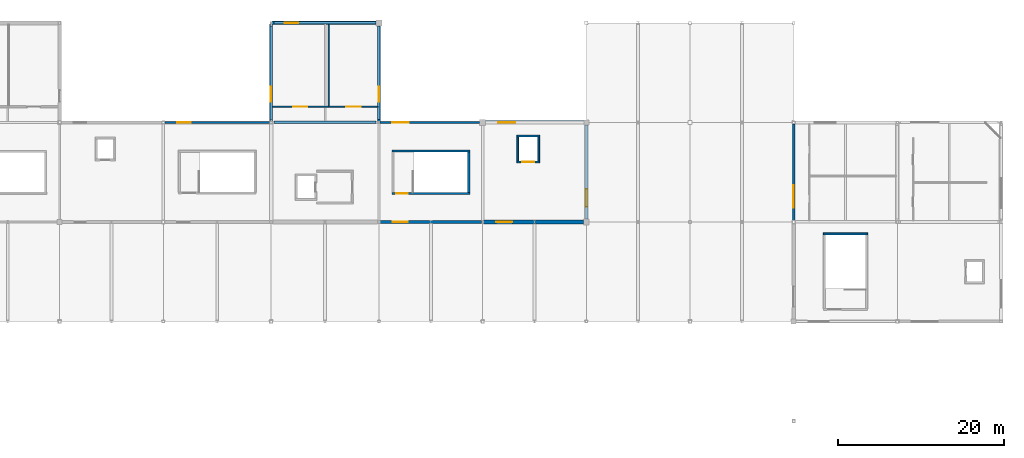
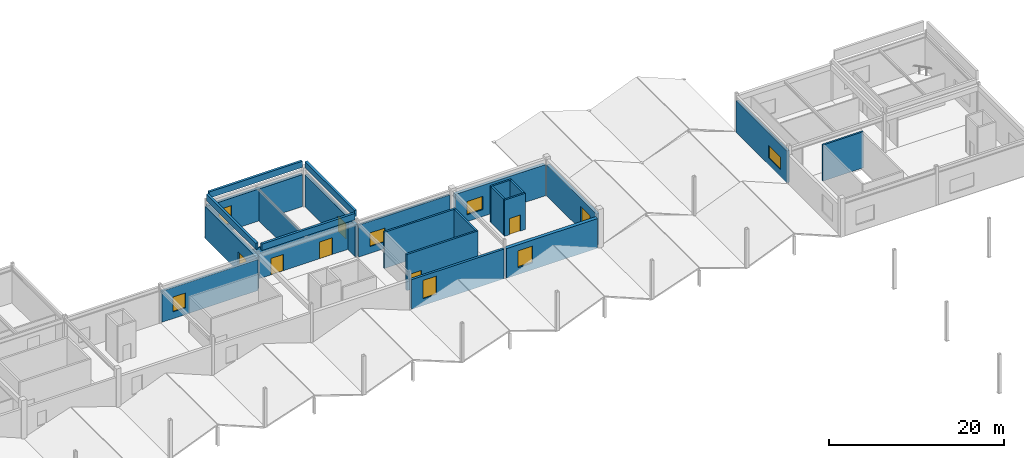
# One storey, part 71 of 76: 24 walls, 10 windows, 4 doors, 14 openings.
"""IFC4 building model written with IfcOpenShell, lengths in metres."""

from ifc_helpers import new_model, si_unit, direction, frame, frame_2d, origin, place, context, subcontext, project, spatial, rectangle, extrude, material, layer, layer_set, type_object, element, fill, save


model = new_model("IFC4")

# Units and contexts
model_context = context("Model", 3, precision=1e-05, world=origin(), true_north=direction((0.0, 1.0)))
body_context = subcontext(model_context, "Body", "Model", "MODEL_VIEW")
ifc_project = project(units=[si_unit("LENGTHUNIT", "METRE"), si_unit("AREAUNIT", "SQUARE_METRE"), si_unit("VOLUMEUNIT", "CUBIC_METRE"), si_unit("PLANEANGLEUNIT", "RADIAN"), si_unit("MASSUNIT", "GRAM", prefix="KILO")], contexts=[model_context])

# Site, building, storey
site_placement = place(None, origin())
site = spatial("IfcSite", under=ifc_project, at=site_placement, CompositionType="ELEMENT")
building_placement = place(site_placement, origin())
building = spatial("IfcBuilding", under=site, at=building_placement, Name="Kazenohara Klinker Stadium", CompositionType="ELEMENT")
storey_placement = place(building_placement, frame((0.0, 0.0, 25.800048828125)))
storey = spatial("IfcBuildingStorey", under=building, at=storey_placement, Name="L05", CompositionType="ELEMENT", Elevation=25.800048828125)

# Wall
ifc_material_1 = material(Name="Concrete C40/50", Category="concrete")
ifc_layer_1 = layer(ifc_material_1, 0.22998046875)
ifc_layer_set_1 = layer_set([ifc_layer_1], Name="Concrete C40/50")
wall_type_1 = type_object("IfcWallType", Name="WAL-CORE-230", PredefinedType="SHEAR", material=ifc_layer_set_1)
wall_1_placement = place(storey_placement, frame((178.590087890625, 142.56494140625, 0.0), z_axis=(0.0, 0.0, 1.0), x_axis=(1.0, 0.0, 0.0)))
element("IfcWall", 1, at=wall_1_placement, inside=storey, type_object=wall_type_1, Name="Stairwell shear wall ST12 L05 North", PredefinedType="SHEAR", context=body_context, shape_type="SweptSolid", body=[
    extrude(rectangle(XDim=5.31982421875, YDim=0.22998046875, at=frame_2d((2.659912109375, 0.0))), origin(), (0.0, 0.0, 1.0), 5.0400390625),
])

# Wall, opening, door
wall_2_placement = place(storey_placement, frame((141.6201171875, 151.235107421875, 0.0), z_axis=(0.0, 0.0, 1.0), x_axis=(1.0, 0.0, 0.0)))
wall_2 = element("IfcWall", 2, at=wall_2_placement, inside=storey, type_object=wall_type_1, Name="Elevator shaft wall LG02 L05 South", PredefinedType="SHEAR", context=body_context, shape_type="SweptSolid", body=[
    extrude(rectangle(XDim=2.759765625, YDim=0.22998046875, at=frame_2d((1.3798828125, 0.0))), origin(), (0.0, 0.0, 1.0), 5.0400390625),
])
opening_1_placement = place(wall_2_placement, frame((0.679931640625, 0.0, 0.0)))
opening_1 = element("IfcOpeningElement", 3, at=opening_1_placement, cuts=wall_2, Name="Opening LD03", PredefinedType="OPENING", context=body_context, shape_type="SweptSolid", body=[
    extrude(rectangle(XDim=1.39990234375, YDim=2.25, at=frame_2d((0.699951171875, 1.125))), frame((0.0, 0.125, 0.0), z_axis=(0.0, -1.0, 0.0), x_axis=(1.0, 0.0, 0.0)), (0.0, 0.0, 1.0), 0.25),
])
ifc_material_2 = material(Name="Heavy-duty stainless steel sliding goods landing door", Category="steel")
door_type_1 = type_object("IfcDoorType", Name="DR-LD03-1400x2250", OperationType="NOTDEFINED", PredefinedType="DOOR", material=ifc_material_2)
door_1_placement = place(opening_1_placement, origin())
door_1 = element("IfcDoor", 4, at=door_1_placement, inside=storey, type_object=door_type_1, Name="Elevator sliding landing door LG02-L05", OperationType="DOUBLE_DOOR_SLIDING", OverallHeight=2.25, OverallWidth=1.39990234375, PredefinedType="DOOR", context=body_context, shape_type="SweptSolid", body=[
    extrude(rectangle(XDim=1.39990234375, YDim=2.25, at=frame_2d((0.699951171875, 1.125))), frame((0.0, 0.02490234375, 0.0), z_axis=(0.0, -1.0, 0.0), x_axis=(1.0, 0.0, 0.0)), (0.0, 0.0, 1.0), 0.050048828125),
])
fill(opening_1, door_1)

# Walls
wall_3_placement = place(storey_placement, frame((141.6201171875, 154.364990234375, 0.0), z_axis=(0.0, 0.0, 1.0), x_axis=(1.0, 0.0, 0.0)))
element("IfcWall", 5, at=wall_3_placement, inside=storey, type_object=wall_type_1, Name="Elevator shaft wall LG02 L05 North", PredefinedType="SHEAR", context=body_context, shape_type="SweptSolid", body=[
    extrude(rectangle(XDim=2.759765625, YDim=0.22998046875, at=frame_2d((1.3798828125, 0.0))), origin(), (0.0, 0.0, 1.0), 5.0400390625),
])
for number, where, z_axis, x_axis, name in (
    (6, (141.735107421875, 151.35009765625, 0.0), (0.0, 0.0, 1.0), (0.0, 1.0, 0.0), "Elevator shaft wall LG02 L05 West"),
    (7, (144.264892578125, 151.35009765625, 0.0), (0.0, 0.0, 1.0), (0.0, 1.0, 0.0), "Elevator shaft wall LG02 L05 East"),
):
    element("IfcWall", number, at=place(storey_placement, frame(where, z_axis=z_axis, x_axis=x_axis)), inside=storey, type_object=wall_type_1, Name=name, PredefinedType="SHEAR", context=body_context, shape_type="SweptSolid", body=[
        extrude(rectangle(XDim=2.89990234375, YDim=0.22998046875, at=frame_2d((1.449951171875, 0.0))), origin(), (0.0, 0.0, 1.0), 5.0400390625),
    ])

# Wall, opening, door
ifc_layer_2 = layer(ifc_material_1, 0.25)
ifc_layer_set_2 = layer_set([ifc_layer_2], Name="Concrete C40/50")
wall_type_2 = type_object("IfcWallType", Name="WAL-CORE-250", PredefinedType="SHEAR", material=ifc_layer_set_2)
wall_4_placement = place(storey_placement, frame((126.550048828125, 147.455078125, 0.0), z_axis=(0.0, 0.0, 1.0), x_axis=(1.0, 0.0, 0.0)))
wall_4 = element("IfcWall", 8, at=wall_4_placement, inside=storey, type_object=wall_type_2, Name="Stairwell shear wall ST11 L05 South", PredefinedType="SHEAR", context=body_context, shape_type="SweptSolid", body=[
    extrude(rectangle(XDim=9.39990234375, YDim=0.25, at=frame_2d((4.699951171875, 0.0))), origin(), (0.0, 0.0, 1.0), 5.0400390625),
])
opening_2_placement = place(wall_4_placement, frame((0.550048828125, 0.0, 0.0)))
opening_2 = element("IfcOpeningElement", 9, at=opening_2_placement, cuts=wall_4, Name="Opening SD01", PredefinedType="OPENING", context=body_context, shape_type="SweptSolid", body=[
    extrude(rectangle(XDim=1.39990234375, YDim=2.14990234375, at=frame_2d((0.699951171875, 1.074951171875))), frame((0.0, 0.135009765625, 0.0), z_axis=(0.0, -1.0, 0.0), x_axis=(1.0, 0.0, 0.0)), (0.0, 0.0, 1.0), 0.27001953125),
])
ifc_material_3 = material(Name="Flush painted steel fire door leaf", Category="steel")
door_type_2 = type_object("IfcDoorType", Name="DR-STR-1400x2150", OperationType="NOTDEFINED", PredefinedType="DOOR", material=ifc_material_3)
door_2_placement = place(opening_2_placement, origin())
door_2 = element("IfcDoor", 10, at=door_2_placement, inside=storey, type_object=door_type_2, Name="Escape stairwell fire door ST11-L05", OperationType="SINGLE_SWING_LEFT", OverallHeight=2.14990234375, OverallWidth=1.39990234375, PredefinedType="DOOR", context=body_context, shape_type="SweptSolid", body=[
    extrude(rectangle(XDim=1.39990234375, YDim=2.14990234375, at=frame_2d((0.699951171875, 1.074951171875))), frame((0.0, 0.02490234375, 0.0), z_axis=(0.0, -1.0, 0.0), x_axis=(1.0, 0.0, 0.0)), (0.0, 0.0, 1.0), 0.050048828125),
])
fill(opening_2, door_2)

# Walls
wall_5_placement = place(storey_placement, frame((126.550048828125, 152.544921875, 0.0), z_axis=(0.0, 0.0, 1.0), x_axis=(1.0, 0.0, 0.0)))
element("IfcWall", 11, at=wall_5_placement, inside=storey, type_object=wall_type_2, Name="Stairwell shear wall ST11 L05 North", PredefinedType="SHEAR", context=body_context, shape_type="SweptSolid", body=[
    extrude(rectangle(XDim=9.39990234375, YDim=0.25, at=frame_2d((4.699951171875, 0.0))), origin(), (0.0, 0.0, 1.0), 5.0400390625),
])
wall_6_placement = place(storey_placement, frame((135.824951171875, 147.580078125, 0.0), z_axis=(0.0, 0.0, 1.0), x_axis=(0.0, 1.0, 0.0)))
element("IfcWall", 12, at=wall_6_placement, inside=storey, type_object=wall_type_2, Name="Stairwell shear wall ST11 L05 East", PredefinedType="SHEAR", context=body_context, shape_type="SweptSolid", body=[
    extrude(rectangle(XDim=4.83984375, YDim=0.25, at=frame_2d((2.419921875, 0.0))), origin(), (0.0, 0.0, 1.0), 5.0400390625),
])

# Wall, opening, window
ifc_material_4 = material(Name="Clinker brick masonry", Category="masonry")
ifc_layer_3 = layer(ifc_material_4, 0.280029296875)
ifc_layer_set_3 = layer_set([ifc_layer_3], Name="Clinker brick masonry")
wall_type_3 = type_object("IfcWallType", Name="WAL-EXT-CB280", PredefinedType="SOLIDWALL", material=ifc_layer_set_3)
wall_7_placement = place(storey_placement, frame((99.178955078125, 156.0, 0.0), z_axis=(0.0, 0.0, 1.0), x_axis=(1.0, 0.0, 0.0)))
wall_7 = element("IfcWall", 13, at=wall_7_placement, inside=storey, type_object=wall_type_3, Name="Clinker brick cavity wall EW06 L05 X8-13", PredefinedType="SOLIDWALL", context=body_context, shape_type="SweptSolid", body=[
    extrude(rectangle(XDim=12.6669921875, YDim=0.280029296875, at=frame_2d((6.33349609375, 0.0))), origin(), (0.0, 0.0, 1.0), 4.33984375),
])
opening_3_placement = place(wall_7_placement, frame((1.5, 0.0, 0.949951171875)))
opening_3 = element("IfcOpeningElement", 14, at=opening_3_placement, cuts=wall_7, Name="Opening W11", PredefinedType="OPENING", context=body_context, shape_type="SweptSolid", body=[
    extrude(rectangle(XDim=1.64990234375, YDim=2.050048828125, at=frame_2d((0.824951171875, 1.02490234375))), frame((0.0, 0.14990234375, 0.0), z_axis=(0.0, -1.0, 0.0), x_axis=(1.0, 0.0, 0.0)), (0.0, 0.0, 1.0), 0.300048828125),
])
ifc_material_5 = material(Name="Dark bronze aluminium frame and triple glazing", Category="aluminium")
window_type_1 = type_object("IfcWindowType", Name="WIN-AS-11", PartitioningType="SINGLE_PANEL", PredefinedType="WINDOW", material=ifc_material_5)
window_1_placement = place(opening_3_placement, origin())
window_1 = element("IfcWindow", 15, at=window_1_placement, inside=storey, type_object=window_type_1, Name="Horizontal-mullion ladder window W11 L05 X8-13", OverallHeight=2.050048828125, OverallWidth=1.64990234375, PartitioningType="SINGLE_PANEL", PredefinedType="WINDOW", context=body_context, shape_type="SweptSolid", body=[
    extrude(rectangle(XDim=1.64990234375, YDim=2.050048828125, at=frame_2d((0.824951171875, 1.02490234375))), frame((0.0, 0.030029296875, 0.0), z_axis=(0.0, -1.0, 0.0), x_axis=(1.0, 0.0, 0.0)), (0.0, 0.0, 1.0), 0.06005859375),
])
fill(opening_3, window_1)

wall_8_placement = place(storey_placement, frame((125.12890625, 156.0, 0.0), z_axis=(0.0, 0.0, 1.0), x_axis=(1.0, 0.0, 0.0)))
wall_8 = element("IfcWall", 16, at=wall_8_placement, inside=storey, type_object=wall_type_3, Name="Clinker brick cavity wall EW06 L05 X10-13", PredefinedType="SOLIDWALL", context=body_context, shape_type="SweptSolid", body=[
    extrude(rectangle(XDim=12.01708984375, YDim=0.280029296875, at=frame_2d((6.008544921875, 0.0))), origin(), (0.0, 0.0, 1.0), 4.451904296875),
])
opening_4_placement = place(wall_8_placement, frame((1.5, 0.0, 0.949951171875)))
opening_4 = element("IfcOpeningElement", 17, at=opening_4_placement, cuts=wall_8, Name="Opening W16", PredefinedType="OPENING", context=body_context, shape_type="SweptSolid", body=[
    extrude(rectangle(XDim=1.949951171875, YDim=1.89990234375, at=frame_2d((0.97509765625, 0.949951171875))), frame((0.0, 0.14990234375, 0.0), z_axis=(0.0, -1.0, 0.0), x_axis=(1.0, 0.0, 0.0)), (0.0, 0.0, 1.0), 0.300048828125),
])
window_type_2 = type_object("IfcWindowType", Name="WIN-AS-16", PartitioningType="SINGLE_PANEL", PredefinedType="WINDOW", material=ifc_material_5)
window_2_placement = place(opening_4_placement, origin())
window_2 = element("IfcWindow", 18, at=window_2_placement, inside=storey, type_object=window_type_2, Name="Horizontal-mullion ladder window W16 L05 X10-13", OverallHeight=1.89990234375, OverallWidth=1.949951171875, PartitioningType="SINGLE_PANEL", PredefinedType="WINDOW", context=body_context, shape_type="SweptSolid", body=[
    extrude(rectangle(XDim=1.949951171875, YDim=1.89990234375, at=frame_2d((0.97509765625, 0.949951171875))), frame((0.0, 0.030029296875, 0.0), z_axis=(0.0, -1.0, 0.0), x_axis=(1.0, 0.0, 0.0)), (0.0, 0.0, 1.0), 0.06005859375),
])
fill(opening_4, window_2)

ifc_layer_4 = layer(ifc_material_4, 0.31005859375)
ifc_layer_set_4 = layer_set([ifc_layer_4], Name="Clinker brick masonry")
wall_type_4 = type_object("IfcWallType", Name="WAL-EXT-CB310", PredefinedType="SOLIDWALL", material=ifc_layer_set_4)
wall_9_placement = place(storey_placement, frame((125.154052734375, 144.0, 0.0), z_axis=(0.0, 0.0, 1.0), x_axis=(1.0, 0.0, 0.0)))
wall_9 = element("IfcWall", 19, at=wall_9_placement, inside=storey, type_object=wall_type_4, Name="Clinker brick cavity wall EW05 L05 X10-12", PredefinedType="SOLIDWALL", context=body_context, shape_type="SweptSolid", body=[
    extrude(rectangle(XDim=12.217041015625, YDim=0.31005859375, at=frame_2d((6.1083984375, 0.0))), origin(), (0.0, 0.0, 1.0), 4.1298828125),
])
opening_5_placement = place(wall_9_placement, frame((1.5, 0.0, 0.949951171875)))
opening_5 = element("IfcOpeningElement", 20, at=opening_5_placement, cuts=wall_9, Name="Opening W15", PredefinedType="OPENING", context=body_context, shape_type="SweptSolid", body=[
    extrude(rectangle(XDim=1.800048828125, YDim=2.550048828125, at=frame_2d((0.89990234375, 1.27490234375))), frame((0.0, 0.1650390625, 0.0), z_axis=(0.0, -1.0, 0.0), x_axis=(1.0, 0.0, 0.0)), (0.0, 0.0, 1.0), 0.330078125),
])
window_type_3 = type_object("IfcWindowType", Name="WIN-AS-15", PartitioningType="SINGLE_PANEL", PredefinedType="WINDOW", material=ifc_material_5)
window_3_placement = place(opening_5_placement, origin())
window_3 = element("IfcWindow", 21, at=window_3_placement, inside=storey, type_object=window_type_3, Name="Horizontal-mullion ladder window W15 L05 X10-12", OverallHeight=2.550048828125, OverallWidth=1.800048828125, PartitioningType="SINGLE_PANEL", PredefinedType="WINDOW", context=body_context, shape_type="SweptSolid", body=[
    extrude(rectangle(XDim=1.800048828125, YDim=2.550048828125, at=frame_2d((0.89990234375, 1.27490234375))), frame((0.0, 0.030029296875, 0.0), z_axis=(0.0, -1.0, 0.0), x_axis=(1.0, 0.0, 0.0)), (0.0, 0.0, 1.0), 0.06005859375),
])
fill(opening_5, window_3)

wall_10_placement = place(storey_placement, frame((175.0, 144.2041015625, 0.0), z_axis=(0.0, 0.0, 1.0), x_axis=(0.0, 1.0, 0.0)))
wall_10 = element("IfcWall", 22, at=wall_10_placement, inside=storey, type_object=wall_type_4, Name="Clinker brick cavity wall EW05 L05 Y14-12", PredefinedType="SOLIDWALL", context=body_context, shape_type="SweptSolid", body=[
    extrude(rectangle(XDim=11.616943359375, YDim=0.31005859375, at=frame_2d((5.80859375, 0.0))), origin(), (0.0, 0.0, 1.0), 4.451904296875),
])
opening_6_placement = place(wall_10_placement, frame((1.5, 0.0, 0.949951171875)))
opening_6 = element("IfcOpeningElement", 23, at=opening_6_placement, cuts=wall_10, Name="Opening W27", PredefinedType="OPENING", context=body_context, shape_type="SweptSolid", body=[
    extrude(rectangle(XDim=2.699951171875, YDim=1.75, at=frame_2d((1.35009765625, 0.875))), frame((0.0, 0.1650390625, 0.0), z_axis=(0.0, -1.0, 0.0), x_axis=(1.0, 0.0, 0.0)), (0.0, 0.0, 1.0), 0.330078125),
])
window_type_4 = type_object("IfcWindowType", Name="WIN-AS-27", PartitioningType="SINGLE_PANEL", PredefinedType="WINDOW", material=ifc_material_5)
window_4_placement = place(opening_6_placement, origin())
window_4 = element("IfcWindow", 24, at=window_4_placement, inside=storey, type_object=window_type_4, Name="Horizontal-mullion ladder window W27 L05 Y14-12", OverallHeight=1.75, OverallWidth=2.699951171875, PartitioningType="SINGLE_PANEL", PredefinedType="WINDOW", context=body_context, shape_type="SweptSolid", body=[
    extrude(rectangle(XDim=2.699951171875, YDim=1.75, at=frame_2d((1.35009765625, 0.875))), frame((0.0, 0.030029296875, 0.0), z_axis=(0.0, -1.0, 0.0), x_axis=(1.0, 0.0, 0.0)), (0.0, 0.0, 1.0), 0.06005859375),
])
fill(opening_6, window_4)

# Walls
for number, where, z_axis, x_axis, name in (
    (25, (112.35009765625, 156.0, 5.39990234375), (0.0, 0.0, 1.0), (1.0, 0.0, 0.0), "Turret crown klinker wall EW05 NBST-09-S"),
    (26, (112.35009765625, 168.0, 5.39990234375), (0.0, 0.0, 1.0), (1.0, 0.0, 0.0), "Turret crown klinker wall EW05 NBST-09-N"),
):
    element("IfcWall", number, at=place(storey_placement, frame(where, z_axis=z_axis, x_axis=x_axis)), inside=storey, type_object=wall_type_4, Name=name, PredefinedType="SOLIDWALL", context=body_context, shape_type="SweptSolid", body=[
        extrude(rectangle(XDim=12.2998046875, YDim=0.31005859375, at=frame_2d((6.14990234375, 0.0))), origin(), (0.0, 0.0, 1.0), 0.880126953125),
    ])
for number, where, z_axis, x_axis, name in (
    (27, (112.0, 156.35009765625, 5.39990234375), (0.0, 0.0, 1.0), (0.0, 1.0, 0.0), "Turret crown klinker wall EW05 NBST-09-W"),
    (28, (125.0, 156.35009765625, 5.39990234375), (0.0, 0.0, 1.0), (0.0, 1.0, 0.0), "Turret crown klinker wall EW05 NBST-09-E"),
):
    element("IfcWall", number, at=place(storey_placement, frame(where, z_axis=z_axis, x_axis=x_axis)), inside=storey, type_object=wall_type_4, Name=name, PredefinedType="SOLIDWALL", context=body_context, shape_type="SweptSolid", body=[
        extrude(rectangle(XDim=11.2998046875, YDim=0.31005859375, at=frame_2d((5.64990234375, 0.0))), origin(), (0.0, 0.0, 1.0), 0.880126953125),
    ])

# Wall, opening, window
ifc_layer_5 = layer(ifc_material_4, 0.340087890625)
ifc_layer_set_5 = layer_set([ifc_layer_5], Name="Clinker brick masonry")
wall_type_5 = type_object("IfcWallType", Name="WAL-EXT-CB340", PredefinedType="SOLIDWALL", material=ifc_layer_set_5)
wall_11_placement = place(storey_placement, frame((125.0, 156.12890625, 0.0), z_axis=(0.0, 0.0, 1.0), x_axis=(0.0, 1.0, 0.0)))
wall_11 = element("IfcWall", 29, at=wall_11_placement, inside=storey, type_object=wall_type_5, Name="Clinker brick cavity wall EW04 L05 Y10-13", PredefinedType="SOLIDWALL", context=body_context, shape_type="SweptSolid", body=[
    extrude(rectangle(XDim=11.51708984375, YDim=0.340087890625, at=frame_2d((5.758544921875, 0.0))), origin(), (0.0, 0.0, 1.0), 4.451904296875),
])
opening_7_placement = place(wall_11_placement, frame((2.39111328125, 0.0, 0.949951171875)))
opening_7 = element("IfcOpeningElement", 30, at=opening_7_placement, cuts=wall_11, Name="Opening W14", PredefinedType="OPENING", context=body_context, shape_type="SweptSolid", body=[
    extrude(rectangle(XDim=1.800048828125, YDim=2.14990234375, at=frame_2d((0.89990234375, 1.074951171875))), frame((0.0, 0.18017578125, 0.0), z_axis=(0.0, -1.0, 0.0), x_axis=(1.0, 0.0, 0.0)), (0.0, 0.0, 1.0), 0.360107421875),
])
window_type_5 = type_object("IfcWindowType", Name="WIN-AS-14", PartitioningType="SINGLE_PANEL", PredefinedType="WINDOW", material=ifc_material_5)
window_5_placement = place(opening_7_placement, origin())
window_5 = element("IfcWindow", 31, at=window_5_placement, inside=storey, type_object=window_type_5, Name="Horizontal-mullion ladder window W14 L05 Y10-13", OverallHeight=2.14990234375, OverallWidth=1.800048828125, PartitioningType="SINGLE_PANEL", PredefinedType="WINDOW", context=body_context, shape_type="SweptSolid", body=[
    extrude(rectangle(XDim=1.800048828125, YDim=2.14990234375, at=frame_2d((0.89990234375, 1.074951171875))), frame((0.0, 0.030029296875, 0.0), z_axis=(0.0, -1.0, 0.0), x_axis=(1.0, 0.0, 0.0)), (0.0, 0.0, 1.0), 0.06005859375),
])
fill(opening_7, window_5)

ifc_layer_6 = layer(ifc_material_4, 0.3701171875)
ifc_layer_set_6 = layer_set([ifc_layer_6], Name="Clinker brick masonry")
wall_type_6 = type_object("IfcWallType", Name="WAL-EXT-CB370", PredefinedType="SOLIDWALL", material=ifc_layer_set_6)
wall_12_placement = place(storey_placement, frame((112.0, 156.154052734375, 0.0), z_axis=(0.0, 0.0, 1.0), x_axis=(0.0, 1.0, 0.0)))
wall_12 = element("IfcWall", 32, at=wall_12_placement, inside=storey, type_object=wall_type_6, Name="Clinker brick cavity wall EW03 L05 Y9-13", PredefinedType="SOLIDWALL", context=body_context, shape_type="SweptSolid", body=[
    extrude(rectangle(XDim=11.717041015625, YDim=0.3701171875, at=frame_2d((5.8583984375, 0.0))), origin(), (0.0, 0.0, 1.0), 4.43994140625),
])
opening_8_placement = place(wall_12_placement, frame((2.365966796875, 0.0, 0.949951171875)))
opening_8 = element("IfcOpeningElement", 33, at=opening_8_placement, cuts=wall_12, Name="Opening W13", PredefinedType="OPENING", context=body_context, shape_type="SweptSolid", body=[
    extrude(rectangle(XDim=1.800048828125, YDim=1.75, at=frame_2d((0.89990234375, 0.875))), frame((0.0, 0.195068359375, 0.0), z_axis=(0.0, -1.0, 0.0), x_axis=(1.0, 0.0, 0.0)), (0.0, 0.0, 1.0), 0.39013671875),
])
window_type_6 = type_object("IfcWindowType", Name="WIN-AS-13", PartitioningType="SINGLE_PANEL", PredefinedType="WINDOW", material=ifc_material_5)
window_6_placement = place(opening_8_placement, origin())
window_6 = element("IfcWindow", 34, at=window_6_placement, inside=storey, type_object=window_type_6, Name="Horizontal-mullion ladder window W13 L05 Y9-13", OverallHeight=1.75, OverallWidth=1.800048828125, PartitioningType="SINGLE_PANEL", PredefinedType="WINDOW", context=body_context, shape_type="SweptSolid", body=[
    extrude(rectangle(XDim=1.800048828125, YDim=1.75, at=frame_2d((0.89990234375, 0.875))), frame((0.0, 0.030029296875, 0.0), z_axis=(0.0, -1.0, 0.0), x_axis=(1.0, 0.0, 0.0)), (0.0, 0.0, 1.0), 0.06005859375),
])
fill(opening_8, window_6)

wall_13_placement = place(storey_placement, frame((150.0, 144.35400390625, 0.0), z_axis=(0.0, 0.0, 1.0), x_axis=(0.0, 1.0, 0.0)))
wall_13 = element("IfcWall", 35, at=wall_13_placement, inside=storey, type_object=wall_type_6, Name="Clinker brick cavity wall EW03 L05 Y12-12", PredefinedType="SOLIDWALL", context=body_context, shape_type="SweptSolid", body=[
    extrude(rectangle(XDim=11.342041015625, YDim=0.3701171875, at=frame_2d((5.6708984375, 0.0))), origin(), (0.0, 0.0, 1.0), 4.33984375),
])
opening_9_placement = place(wall_13_placement, frame((1.5, 0.0, 0.949951171875)))
opening_9 = element("IfcOpeningElement", 36, at=opening_9_placement, cuts=wall_13, Name="Opening W19", PredefinedType="OPENING", context=body_context, shape_type="SweptSolid", body=[
    extrude(rectangle(XDim=2.10009765625, YDim=2.25, at=frame_2d((1.050048828125, 1.125))), frame((0.0, 0.195068359375, 0.0), z_axis=(0.0, -1.0, 0.0), x_axis=(1.0, 0.0, 0.0)), (0.0, 0.0, 1.0), 0.39013671875),
])
window_type_7 = type_object("IfcWindowType", Name="WIN-AS-19", PartitioningType="SINGLE_PANEL", PredefinedType="WINDOW", material=ifc_material_5)
window_7_placement = place(opening_9_placement, origin())
window_7 = element("IfcWindow", 37, at=window_7_placement, inside=storey, type_object=window_type_7, Name="Horizontal-mullion ladder window W19 L05 Y12-12", OverallHeight=2.25, OverallWidth=2.10009765625, PartitioningType="SINGLE_PANEL", PredefinedType="WINDOW", context=body_context, shape_type="SweptSolid", body=[
    extrude(rectangle(XDim=2.10009765625, YDim=2.25, at=frame_2d((1.050048828125, 1.125))), frame((0.0, 0.030029296875, 0.0), z_axis=(0.0, -1.0, 0.0), x_axis=(1.0, 0.0, 0.0)), (0.0, 0.0, 1.0), 0.06005859375),
])
fill(opening_9, window_7)

ifc_layer_7 = layer(ifc_material_4, 0.409912109375)
ifc_layer_set_7 = layer_set([ifc_layer_7], Name="Clinker brick masonry")
wall_type_7 = type_object("IfcWallType", Name="WAL-EXT-CB410", PredefinedType="SOLIDWALL", material=ifc_layer_set_7)
wall_14_placement = place(storey_placement, frame((112.12890625, 168.0, 0.0), z_axis=(0.0, 0.0, 1.0), x_axis=(1.0, 0.0, 0.0)))
wall_14 = element("IfcWall", 38, at=wall_14_placement, inside=storey, type_object=wall_type_7, Name="Clinker brick cavity wall EW02 L05 X9-14", PredefinedType="SOLIDWALL", context=body_context, shape_type="SweptSolid", body=[
    extrude(rectangle(XDim=12.51708984375, YDim=0.409912109375, at=frame_2d((6.258544921875, 0.0))), origin(), (0.0, 0.0, 1.0), 4.451904296875),
])
opening_10_placement = place(wall_14_placement, frame((1.5, 0.0, 0.949951171875)))
opening_10 = element("IfcOpeningElement", 39, at=opening_10_placement, cuts=wall_14, Name="Opening W12", PredefinedType="OPENING", context=body_context, shape_type="SweptSolid", body=[
    extrude(rectangle(XDim=1.64990234375, YDim=2.449951171875, at=frame_2d((0.824951171875, 1.22509765625))), frame((0.0, 0.21484375, 0.0), z_axis=(0.0, -1.0, 0.0), x_axis=(1.0, 0.0, 0.0)), (0.0, 0.0, 1.0), 0.429931640625),
])
window_type_8 = type_object("IfcWindowType", Name="WIN-AS-12", PartitioningType="SINGLE_PANEL", PredefinedType="WINDOW", material=ifc_material_5)
window_8_placement = place(opening_10_placement, origin())
window_8 = element("IfcWindow", 40, at=window_8_placement, inside=storey, type_object=window_type_8, Name="Horizontal-mullion ladder window W12 L05 X9-14", OverallHeight=2.449951171875, OverallWidth=1.64990234375, PartitioningType="SINGLE_PANEL", PredefinedType="WINDOW", context=body_context, shape_type="SweptSolid", body=[
    extrude(rectangle(XDim=1.64990234375, YDim=2.449951171875, at=frame_2d((0.824951171875, 1.22509765625))), frame((0.0, 0.030029296875, 0.0), z_axis=(0.0, -1.0, 0.0), x_axis=(1.0, 0.0, 0.0)), (0.0, 0.0, 1.0), 0.06005859375),
])
fill(opening_10, window_8)

wall_15_placement = place(storey_placement, frame((137.85400390625, 156.0, 0.0), z_axis=(0.0, 0.0, 1.0), x_axis=(1.0, 0.0, 0.0)))
wall_15 = element("IfcWall", 41, at=wall_15_placement, inside=storey, type_object=wall_type_7, Name="Clinker brick cavity wall EW02 L05 X11-13", PredefinedType="SOLIDWALL", context=body_context, shape_type="SweptSolid", body=[
    extrude(rectangle(XDim=11.842041015625, YDim=0.409912109375, at=frame_2d((5.9208984375, 0.0))), origin(), (0.0, 0.0, 1.0), 4.33984375),
])
opening_11_placement = place(wall_15_placement, frame((1.5, 0.0, 0.949951171875)))
opening_11 = element("IfcOpeningElement", 42, at=opening_11_placement, cuts=wall_15, Name="Opening W18", PredefinedType="OPENING", context=body_context, shape_type="SweptSolid", body=[
    extrude(rectangle(XDim=2.10009765625, YDim=1.85009765625, at=frame_2d((1.050048828125, 0.925048828125))), frame((0.0, 0.21484375, 0.0), z_axis=(0.0, -1.0, 0.0), x_axis=(1.0, 0.0, 0.0)), (0.0, 0.0, 1.0), 0.429931640625),
])
window_type_9 = type_object("IfcWindowType", Name="WIN-AS-18", PartitioningType="SINGLE_PANEL", PredefinedType="WINDOW", material=ifc_material_5)
window_9_placement = place(opening_11_placement, origin())
window_9 = element("IfcWindow", 43, at=window_9_placement, inside=storey, type_object=window_type_9, Name="Horizontal-mullion ladder window W18 L05 X11-13", OverallHeight=1.85009765625, OverallWidth=2.10009765625, PartitioningType="SINGLE_PANEL", PredefinedType="WINDOW", context=body_context, shape_type="SweptSolid", body=[
    extrude(rectangle(XDim=2.10009765625, YDim=1.85009765625, at=frame_2d((1.050048828125, 0.925048828125))), frame((0.0, 0.030029296875, 0.0), z_axis=(0.0, -1.0, 0.0), x_axis=(1.0, 0.0, 0.0)), (0.0, 0.0, 1.0), 0.06005859375),
])
fill(opening_11, window_9)

ifc_layer_8 = layer(ifc_material_4, 0.449951171875)
ifc_layer_set_8 = layer_set([ifc_layer_8], Name="Clinker brick masonry")
wall_type_8 = type_object("IfcWallType", Name="WAL-EXT-CB450", PredefinedType="SOLIDWALL", material=ifc_layer_set_8)
wall_16_placement = place(storey_placement, frame((137.62890625, 144.0, 0.0), z_axis=(0.0, 0.0, 1.0), x_axis=(1.0, 0.0, 0.0)))
wall_16 = element("IfcWall", 44, at=wall_16_placement, inside=storey, type_object=wall_type_8, Name="Clinker brick cavity wall EW01 L05 X11-12", PredefinedType="SOLIDWALL", context=body_context, shape_type="SweptSolid", body=[
    extrude(rectangle(XDim=12.01708984375, YDim=0.449951171875, at=frame_2d((6.008544921875, 0.0))), origin(), (0.0, 0.0, 1.0), 4.1298828125),
])
opening_12_placement = place(wall_16_placement, frame((1.5, 0.0, 0.949951171875)))
opening_12 = element("IfcOpeningElement", 45, at=opening_12_placement, cuts=wall_16, Name="Opening W17", PredefinedType="OPENING", context=body_context, shape_type="SweptSolid", body=[
    extrude(rectangle(XDim=1.949951171875, YDim=2.35009765625, at=frame_2d((0.97509765625, 1.175048828125))), frame((0.0, 0.23486328125, 0.0), z_axis=(0.0, -1.0, 0.0), x_axis=(1.0, 0.0, 0.0)), (0.0, 0.0, 1.0), 0.469970703125),
])
window_type_10 = type_object("IfcWindowType", Name="WIN-AS-17", PartitioningType="SINGLE_PANEL", PredefinedType="WINDOW", material=ifc_material_5)
window_10_placement = place(opening_12_placement, origin())
window_10 = element("IfcWindow", 46, at=window_10_placement, inside=storey, type_object=window_type_10, Name="Horizontal-mullion ladder window W17 L05 X11-12", OverallHeight=2.35009765625, OverallWidth=1.949951171875, PartitioningType="SINGLE_PANEL", PredefinedType="WINDOW", context=body_context, shape_type="SweptSolid", body=[
    extrude(rectangle(XDim=1.949951171875, YDim=2.35009765625, at=frame_2d((0.97509765625, 1.175048828125))), frame((0.0, 0.030029296875, 0.0), z_axis=(0.0, -1.0, 0.0), x_axis=(1.0, 0.0, 0.0)), (0.0, 0.0, 1.0), 0.06005859375),
])
fill(opening_12, window_10)

# Wall, openings, doors
ifc_material_6 = material(Name="Fire-rated gypsum board on acoustic studs", Category="gypsum")
ifc_layer_9 = layer(ifc_material_6, 0.139892578125)
ifc_layer_set_9 = layer_set([ifc_layer_9], Name="Fire-rated gypsum board on acoustic studs")
wall_type_9 = type_object("IfcWallType", Name="WAL-INT-P140", PredefinedType="PARTITIONING", material=ifc_layer_set_9)
wall_17_placement = place(storey_placement, frame((112.18701171875, 157.889892578125, 0.0), z_axis=(0.0, 0.0, 1.0), x_axis=(1.0, 0.0, 0.0)))
wall_17 = element("IfcWall", 47, at=wall_17_placement, inside=storey, type_object=wall_type_9, Name="Interior partition wall PT03 SPC-L05-09-13-1-1", PredefinedType="PARTITIONING", context=body_context, shape_type="SweptSolid", body=[
    extrude(rectangle(XDim=12.640869140625, YDim=0.139892578125, at=frame_2d((6.3203125, 0.0))), origin(), (0.0, 0.0, 1.0), 4.349853515625),
])
opening_13_placement = place(wall_17_placement, frame((2.5, 0.0, 0.0)))
opening_13 = element("IfcOpeningElement", 48, at=opening_13_placement, cuts=wall_17, Name="Opening ID24", PredefinedType="OPENING", context=body_context, shape_type="SweptSolid", body=[
    extrude(rectangle(XDim=1.64990234375, YDim=2.280029296875, at=frame_2d((0.824951171875, 1.14013671875))), frame((0.0, 0.080078125, 0.0), z_axis=(0.0, -1.0, 0.0), x_axis=(1.0, 0.0, 0.0)), (0.0, 0.0, 1.0), 0.159912109375),
])
opening_14_placement = place(wall_17_placement, frame((8.89501953125, 0.0, 0.0)))
opening_14 = element("IfcOpeningElement", 49, at=opening_14_placement, cuts=wall_17, Name="Opening ID25", PredefinedType="OPENING", context=body_context, shape_type="SweptSolid", body=[
    extrude(rectangle(XDim=1.699951171875, YDim=2.320068359375, at=frame_2d((0.85009765625, 1.16015625))), frame((0.0, 0.080078125, 0.0), z_axis=(0.0, -1.0, 0.0), x_axis=(1.0, 0.0, 0.0)), (0.0, 0.0, 1.0), 0.159912109375),
])
ifc_material_7 = material(Name="Painted steel plant fire door", Category="steel")
door_type_3 = type_object("IfcDoorType", Name="DR-INT-24", OperationType="NOTDEFINED", PredefinedType="DOOR", material=ifc_material_7)
door_3_placement = place(opening_13_placement, origin())
door_3 = element("IfcDoor", 50, at=door_3_placement, inside=storey, type_object=door_type_3, Name="Interior door ID24 Bowl Lighting and Acoustic Control Studio L05-0913A", OperationType="SINGLE_SWING_LEFT", OverallHeight=2.280029296875, OverallWidth=1.64990234375, PredefinedType="DOOR", context=body_context, shape_type="SweptSolid", body=[
    extrude(rectangle(XDim=1.64990234375, YDim=2.280029296875, at=frame_2d((0.824951171875, 1.14013671875))), frame((0.0, 0.02490234375, 0.0), z_axis=(0.0, -1.0, 0.0), x_axis=(1.0, 0.0, 0.0)), (0.0, 0.0, 1.0), 0.050048828125),
])
fill(opening_13, door_3)
door_type_4 = type_object("IfcDoorType", Name="DR-INT-25", OperationType="NOTDEFINED", PredefinedType="DOOR", material=ifc_material_7)
door_4_placement = place(opening_14_placement, origin())
door_4 = element("IfcDoor", 51, at=door_4_placement, inside=storey, type_object=door_type_4, Name="Interior door ID25 Television Broadcast Production Studio L05-0913B", OperationType="SINGLE_SWING_RIGHT", OverallHeight=2.320068359375, OverallWidth=1.699951171875, PredefinedType="DOOR", context=body_context, shape_type="SweptSolid", body=[
    extrude(rectangle(XDim=1.699951171875, YDim=2.320068359375, at=frame_2d((0.85009765625, 1.16015625))), frame((0.0, 0.02490234375, 0.0), z_axis=(0.0, -1.0, 0.0), x_axis=(1.0, 0.0, 0.0)), (0.0, 0.0, 1.0), 0.050048828125),
])
fill(opening_14, door_4)

# Wall
ifc_layer_10 = layer(ifc_material_6, 0.14990234375)
ifc_layer_set_10 = layer_set([ifc_layer_10], Name="Fire-rated gypsum board on acoustic studs")
wall_type_10 = type_object("IfcWallType", Name="WAL-INT-P150", PredefinedType="PARTITIONING", material=ifc_layer_set_10)
wall_18_placement = place(storey_placement, frame((118.94384765625, 157.965087890625, 0.0), z_axis=(0.0, 0.0, 1.0), x_axis=(0.0, 1.0, 0.0)))
element("IfcWall", 52, at=wall_18_placement, inside=storey, type_object=wall_type_10, Name="Interior partition wall PT04 SPC-L05-09-13-1-2", PredefinedType="PARTITIONING", context=body_context, shape_type="SweptSolid", body=[
    extrude(rectangle(XDim=9.827880859375, YDim=0.14990234375, at=frame_2d((4.9140625, 0.0))), origin(), (0.0, 0.0, 1.0), 4.349853515625),
])

save(model, "model.ifc")
